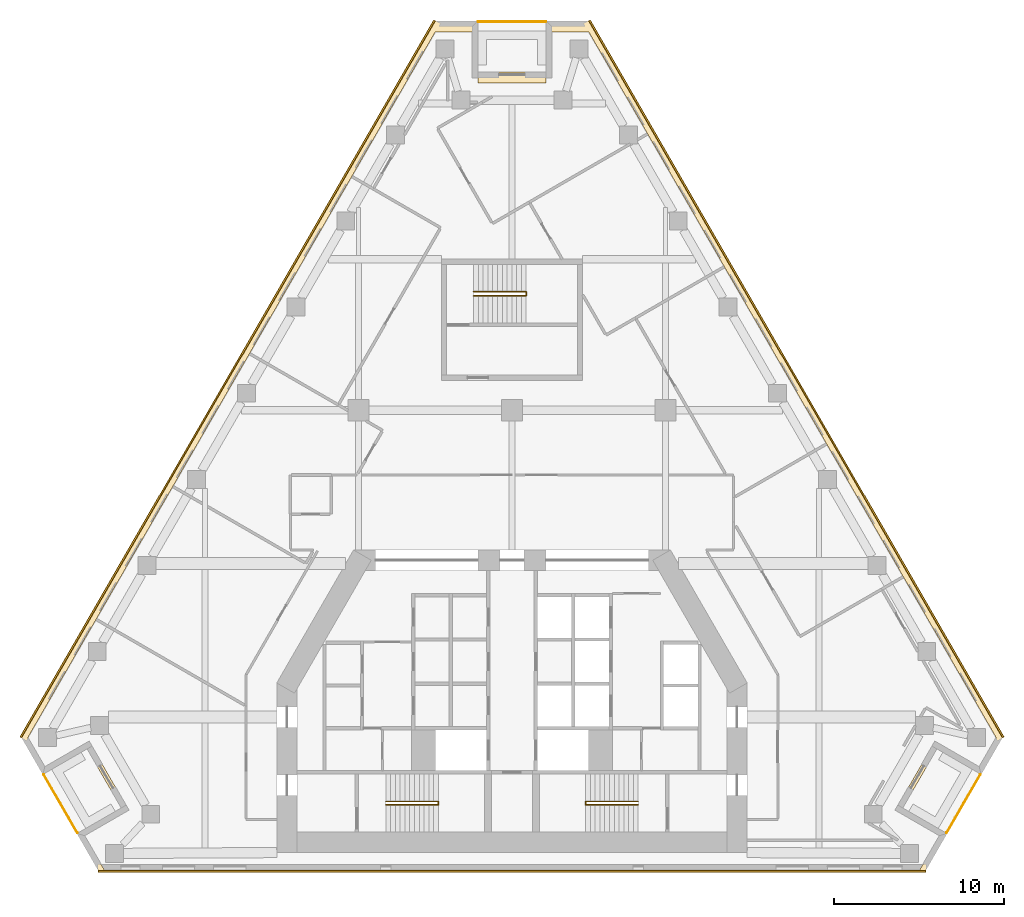
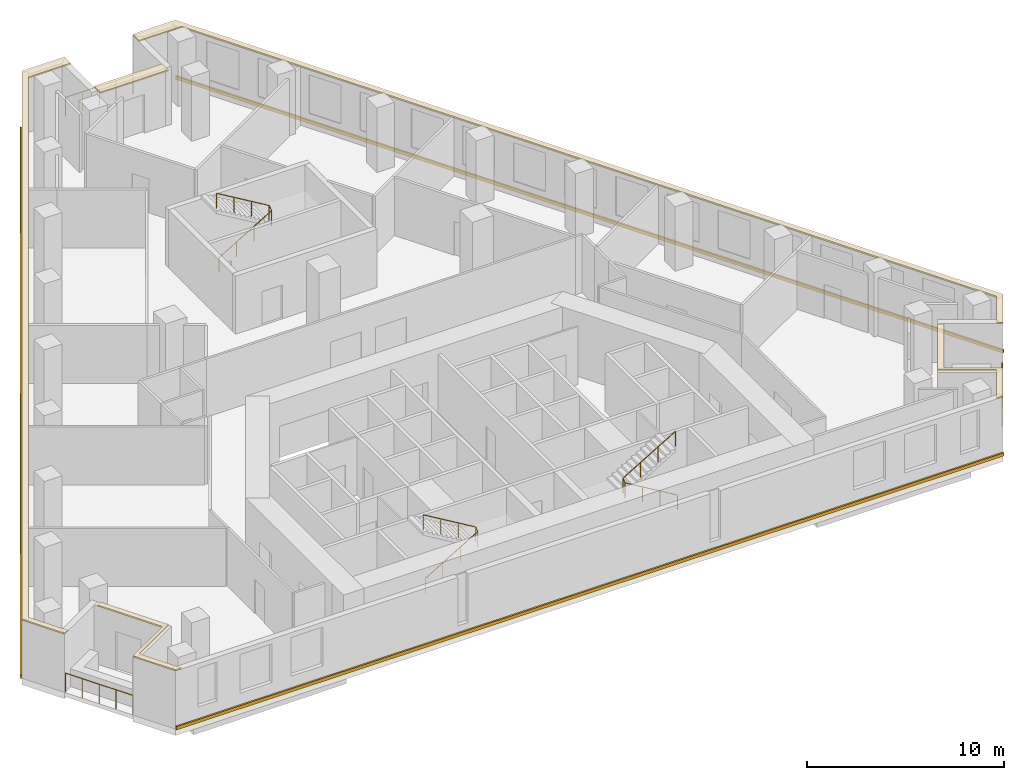
# One storey, part 8 of 8: 8 coverings, 6 railings.
"""IFC4 building model written with IfcOpenShell, lengths in metres."""

from ifc_helpers import new_model, si_unit, direction, frame, origin, origin_2d, place, context, subcontext, project, spatial, polyline, circle, outline, extrude, material, layer, layer_set, type_object, element, save


model = new_model("IFC4")

# Units and contexts
model_context = context("Model", 3, precision=1e-05, world=origin(), true_north=direction((0.0, 1.0)))
body_context = subcontext(model_context, "Body", "Model", "MODEL_VIEW")
ifc_project = project(units=[si_unit("LENGTHUNIT", "METRE"), si_unit("AREAUNIT", "SQUARE_METRE"), si_unit("VOLUMEUNIT", "CUBIC_METRE"), si_unit("PLANEANGLEUNIT", "RADIAN"), si_unit("MASSUNIT", "GRAM", prefix="KILO")], contexts=[model_context])

# Site, building, storey
site_placement = place(None, origin())
site = spatial("IfcSite", under=ifc_project, at=site_placement, CompositionType="ELEMENT")
building_placement = place(site_placement, origin())
building = spatial("IfcBuilding", under=site, at=building_placement, Name="Fogline Exchange Tower", CompositionType="ELEMENT")
storey_placement = place(building_placement, frame((0.0, 0.0, 162.89990234375)))
storey = spatial("IfcBuildingStorey", under=building, at=storey_placement, Name="L36", CompositionType="ELEMENT", Elevation=162.89990234375)

# Coverings
ifc_material_1 = material(Name="Granite", Category="masonry")
ifc_layer = layer(ifc_material_1, 0.080078125)
ifc_layer_set = layer_set([ifc_layer], Name="CP1")
covering_type_1 = type_object("IfcCoveringType", Name="CP1", PredefinedType="USERDEFINED", material=ifc_layer_set)
covering_1_placement = place(storey_placement, frame((0.0, 0.0, 3.60009765625)))
element("IfcCovering", 1, at=covering_1_placement, inside=storey, type_object=covering_type_1, Name="Ledge coping L36", ObjectType="COPING", PredefinedType="USERDEFINED", context=body_context, shape_type="SweptSolid", body=[
    extrude(outline(polyline([(-27.526123046875, 5.629150390625), (-27.246826171875, 5.790283203125), (-28.40380859375, 7.794189453125), (-4.5, 49.19677734375), (-2.0, 49.19677734375), (-2.0, 49.841796875), (-4.5, 49.841796875), (-28.776123046875, 7.794189453125), (-27.526123046875, 5.629150390625)])), origin(), (0.0, 0.0, 1.0), 0.080078125),
])
covering_2_placement = place(storey_placement, frame((0.0, 0.0, 3.60009765625)))
element("IfcCovering", 2, at=covering_2_placement, inside=storey, type_object=covering_type_1, Name="Ledge coping L36", ObjectType="COPING", PredefinedType="USERDEFINED", context=body_context, shape_type="SweptSolid", body=[
    extrude(outline(polyline([(-24.276123046875, 0.0), (-23.90380859375, 0.0), (-25.15380859375, 2.1650390625), (-22.5556640625, 3.6650390625), (-24.5556640625, 7.129150390625), (-24.8349609375, 6.968017578125), (-22.927978515625, 3.6650390625), (-25.526123046875, 2.1650390625), (-24.276123046875, 0.0)])), origin(), (0.0, 0.0, 1.0), 0.080078125),
])
covering_3_placement = place(storey_placement, frame((0.0, 0.0, 3.60009765625)))
element("IfcCovering", 3, at=covering_3_placement, inside=storey, type_object=covering_type_1, Name="Ledge coping L36", ObjectType="COPING", PredefinedType="USERDEFINED", context=body_context, shape_type="SweptSolid", body=[
    extrude(outline(polyline([(22.927978515625, 3.6650390625), (24.8349609375, 6.968017578125), (24.5556640625, 7.129150390625), (22.5556640625, 3.6650390625), (25.15380859375, 2.1650390625), (23.90380859375, 0.0), (24.276123046875, 0.0), (25.526123046875, 2.1650390625), (22.927978515625, 3.6650390625)])), origin(), (0.0, 0.0, 1.0), 0.080078125),
])
covering_4_placement = place(storey_placement, frame((0.0, 0.0, 3.60009765625)))
element("IfcCovering", 4, at=covering_4_placement, inside=storey, type_object=covering_type_1, Name="Ledge coping L36", ObjectType="COPING", PredefinedType="USERDEFINED", context=body_context, shape_type="SweptSolid", body=[
    extrude(outline(polyline([(2.0, 49.841796875), (2.0, 49.19677734375), (4.5, 49.19677734375), (28.40380859375, 7.794189453125), (27.246826171875, 5.790283203125), (27.526123046875, 5.629150390625), (28.776123046875, 7.794189453125), (4.5, 49.841796875), (2.0, 49.841796875)])), origin(), (0.0, 0.0, 1.0), 0.080078125),
])
covering_5_placement = place(storey_placement, frame((0.0, 0.0, 3.60009765625)))
element("IfcCovering", 5, at=covering_5_placement, inside=storey, type_object=covering_type_1, Name="Ledge coping L36", ObjectType="COPING", PredefinedType="USERDEFINED", context=body_context, shape_type="SweptSolid", body=[
    extrude(outline(polyline([(2.0, 46.841796875), (-2.0, 46.841796875), (-2.0, 46.19677734375), (2.0, 46.19677734375), (2.0, 46.841796875)])), origin(), (0.0, 0.0, 1.0), 0.080078125),
])

# Railings
ifc_material_2 = material(Name="Stainless steel 304", Category="steel")
railing_type_1 = type_object("IfcRailingType", Name="G1", PredefinedType="GUARDRAIL", material=ifc_material_2)
railing_1_placement = place(storey_placement, frame((-27.472412109375, 5.635986328125, 0.0)))
element("IfcRailing", 6, at=railing_1_placement, inside=storey, type_object=railing_type_1, Name="Balcony guard L36 SW", PredefinedType="GUARDRAIL", context=body_context, shape_type="SweptSolid", body=[
    extrude(circle(Radius=0.02392578125, at=origin_2d()), frame((0.0, 0.0, 1.17578125), z_axis=(0.500000102728, -0.866025344474, 0.0), x_axis=(0.866025344474, 0.500000102728, 0.0)), (0.0, 0.0, 1.0), 3.9580078125),
    extrude(circle(Radius=0.02099609375, at=origin_2d()), origin(), (0.0, 0.0, 1.0), 1.15185546875),
    extrude(circle(Radius=0.02099609375, at=origin_2d()), frame((0.49462890625, -0.85693359375, 0.0)), (0.0, 0.0, 1.0), 1.15185546875),
    extrude(circle(Radius=0.02099609375, at=origin_2d()), frame((0.989501953125, -1.7138671875, 0.0)), (0.0, 0.0, 1.0), 1.15185546875),
    extrude(circle(Radius=0.02099609375, at=origin_2d()), frame((1.484375, -2.57080078125, 0.0)), (0.0, 0.0, 1.0), 1.15185546875),
    extrude(circle(Radius=0.02099609375, at=origin_2d()), frame((1.97900390625, -3.427734375, 0.0)), (0.0, 0.0, 1.0), 1.15185546875),
])
railing_2_placement = place(storey_placement, frame((25.493408203125, 2.208251953125, 0.0)))
element("IfcRailing", 7, at=railing_2_placement, inside=storey, type_object=railing_type_1, Name="Balcony guard L36 SE", PredefinedType="GUARDRAIL", context=body_context, shape_type="SweptSolid", body=[
    extrude(circle(Radius=0.02392578125, at=origin_2d()), frame((0.0, 0.0, 1.17578125), z_axis=(0.500000102728, 0.866025344474, 0.0), x_axis=(-0.866025344474, 0.500000102728, 0.0)), (0.0, 0.0, 1.0), 3.9580078125),
    extrude(circle(Radius=0.02099609375, at=origin_2d()), origin(), (0.0, 0.0, 1.0), 1.15185546875),
    extrude(circle(Radius=0.02099609375, at=origin_2d()), frame((0.49462890625, 0.85693359375, 0.0)), (0.0, 0.0, 1.0), 1.15185546875),
    extrude(circle(Radius=0.02099609375, at=origin_2d()), frame((0.989501953125, 1.7138671875, 0.0)), (0.0, 0.0, 1.0), 1.15185546875),
    extrude(circle(Radius=0.02099609375, at=origin_2d()), frame((1.484375, 2.57080078125, 0.0)), (0.0, 0.0, 1.0), 1.15185546875),
    extrude(circle(Radius=0.02099609375, at=origin_2d()), frame((1.97900390625, 3.427734375, 0.0)), (0.0, 0.0, 1.0), 1.15185546875),
])
railing_3_placement = place(storey_placement, frame((1.97900390625, 49.791748046875, 0.0)))
element("IfcRailing", 8, at=railing_3_placement, inside=storey, type_object=railing_type_1, Name="Balcony guard L36 N", PredefinedType="GUARDRAIL", context=body_context, shape_type="SweptSolid", body=[
    extrude(circle(Radius=0.02392578125, at=origin_2d()), frame((0.0, 0.0, 1.17578125), z_axis=(-1.0, 0.0, 0.0), x_axis=(0.0, -1.0, 0.0)), (0.0, 0.0, 1.0), 3.9580078125),
    extrude(circle(Radius=0.02099609375, at=origin_2d()), origin(), (0.0, 0.0, 1.0), 1.15185546875),
    extrude(circle(Radius=0.02099609375, at=origin_2d()), frame((-0.989501953125, 0.0, 0.0)), (0.0, 0.0, 1.0), 1.15185546875),
    extrude(circle(Radius=0.02099609375, at=origin_2d()), frame((-1.97900390625, 0.0, 0.0)), (0.0, 0.0, 1.0), 1.15185546875),
    extrude(circle(Radius=0.02099609375, at=origin_2d()), frame((-2.968505859375, 0.0, 0.0)), (0.0, 0.0, 1.0), 1.15185546875),
    extrude(circle(Radius=0.02099609375, at=origin_2d()), frame((-3.9580078125, 0.0, 0.0)), (0.0, 0.0, 1.0), 1.15185546875),
])
ifc_material_3 = material(Name="Steel Q235B", Category="steel")
railing_type_2 = type_object("IfcRailingType", Name="RL-HR", PredefinedType="HANDRAIL", material=ifc_material_3)
railing_4_placement = place(storey_placement, frame((-7.39990234375, 3.85009765625, 0.166748046875)))
element("IfcRailing", 9, at=railing_4_placement, inside=storey, type_object=railing_type_2, Name="Handrail ST1", PredefinedType="HANDRAIL", context=body_context, shape_type="SweptSolid", body=[
    extrude(circle(Radius=0.02392578125, at=origin_2d()), frame((0.0, 0.0, 0.92578125), z_axis=(0.859290745958, 0.0, 0.51148745235), x_axis=(0.0, 1.0, 0.0)), (0.0, 0.0, 1.0), 3.584228515625),
    extrude(circle(Radius=0.02392578125, at=origin_2d()), frame((3.079833984375, 0.0, 2.75927734375), z_axis=(0.0, 0.767990643491, 0.640461061666), x_axis=(-1.0, 0.0, 0.0)), (0.0, 0.0, 1.0), 0.26025390625),
    extrude(circle(Radius=0.02392578125, at=origin_2d()), frame((3.079833984375, 0.199951171875, 2.92578125), z_axis=(-0.859290745958, 0.0, 0.51148745235), x_axis=(0.0, -1.0, 0.0)), (0.0, 0.0, 1.0), 3.584228515625),
    extrude(circle(Radius=0.02099609375, at=origin_2d()), origin(), (0.0, 0.0, 1.0), 0.90185546875),
    extrude(circle(Radius=0.02099609375, at=origin_2d()), frame((1.026611328125, 0.0, 0.611083984375)), (0.0, 0.0, 1.0), 0.90185546875),
    extrude(circle(Radius=0.02099609375, at=origin_2d()), frame((2.05322265625, 0.0, 1.22216796875)), (0.0, 0.0, 1.0), 0.90185546875),
    extrude(circle(Radius=0.02099609375, at=origin_2d()), frame((3.079833984375, 0.0, 1.833251953125)), (0.0, 0.0, 1.0), 0.90185546875),
    extrude(circle(Radius=0.02099609375, at=origin_2d()), frame((3.079833984375, 0.199951171875, 2.0)), (0.0, 0.0, 1.0), 0.90185546875),
    extrude(circle(Radius=0.02099609375, at=origin_2d()), frame((2.05322265625, 0.199951171875, 2.611083984375)), (0.0, 0.0, 1.0), 0.90185546875),
    extrude(circle(Radius=0.02099609375, at=origin_2d()), frame((1.026611328125, 0.199951171875, 3.22216796875)), (0.0, 0.0, 1.0), 0.90185546875),
    extrude(circle(Radius=0.02099609375, at=origin_2d()), frame((0.0, 0.199951171875, 3.833251953125)), (0.0, 0.0, 1.0), 0.90185546875),
])
railing_5_placement = place(storey_placement, frame((7.39990234375, 3.85009765625, 0.166748046875)))
element("IfcRailing", 10, at=railing_5_placement, inside=storey, type_object=railing_type_2, Name="Handrail ST2", PredefinedType="HANDRAIL", context=body_context, shape_type="SweptSolid", body=[
    extrude(circle(Radius=0.02392578125, at=origin_2d()), frame((0.0, 0.0, 0.92578125), z_axis=(-0.859290745958, 0.0, 0.51148745235), x_axis=(0.0, -1.0, 0.0)), (0.0, 0.0, 1.0), 3.584228515625),
    extrude(circle(Radius=0.02392578125, at=origin_2d()), frame((-3.079833984375, 0.0, 2.75927734375), z_axis=(0.0, 0.767990643491, 0.640461061666), x_axis=(-1.0, 0.0, 0.0)), (0.0, 0.0, 1.0), 0.26025390625),
    extrude(circle(Radius=0.02392578125, at=origin_2d()), frame((-3.079833984375, 0.199951171875, 2.92578125), z_axis=(0.859290745958, 0.0, 0.51148745235), x_axis=(0.0, 1.0, 0.0)), (0.0, 0.0, 1.0), 3.584228515625),
    extrude(circle(Radius=0.02099609375, at=origin_2d()), origin(), (0.0, 0.0, 1.0), 0.90185546875),
    extrude(circle(Radius=0.02099609375, at=origin_2d()), frame((-1.026611328125, 0.0, 0.611083984375)), (0.0, 0.0, 1.0), 0.90185546875),
    extrude(circle(Radius=0.02099609375, at=origin_2d()), frame((-2.05322265625, 0.0, 1.22216796875)), (0.0, 0.0, 1.0), 0.90185546875),
    extrude(circle(Radius=0.02099609375, at=origin_2d()), frame((-3.079833984375, 0.0, 1.833251953125)), (0.0, 0.0, 1.0), 0.90185546875),
    extrude(circle(Radius=0.02099609375, at=origin_2d()), frame((-3.079833984375, 0.199951171875, 2.0)), (0.0, 0.0, 1.0), 0.90185546875),
    extrude(circle(Radius=0.02099609375, at=origin_2d()), frame((-2.05322265625, 0.199951171875, 2.611083984375)), (0.0, 0.0, 1.0), 0.90185546875),
    extrude(circle(Radius=0.02099609375, at=origin_2d()), frame((-1.026611328125, 0.199951171875, 3.22216796875)), (0.0, 0.0, 1.0), 0.90185546875),
    extrude(circle(Radius=0.02099609375, at=origin_2d()), frame((0.0, 0.199951171875, 3.833251953125)), (0.0, 0.0, 1.0), 0.90185546875),
])
railing_6_placement = place(storey_placement, frame((-2.25, 33.70703125, 0.166748046875)))
element("IfcRailing", 11, at=railing_6_placement, inside=storey, type_object=railing_type_2, Name="Handrail ST3", PredefinedType="HANDRAIL", context=body_context, shape_type="SweptSolid", body=[
    extrude(circle(Radius=0.02392578125, at=origin_2d()), frame((0.0, 0.0, 0.92578125), z_axis=(0.859308565015, 0.0, 0.511457515432), x_axis=(0.0, 1.0, 0.0)), (0.0, 0.0, 1.0), 3.58447265625),
    extrude(circle(Radius=0.02392578125, at=origin_2d()), frame((3.080078125, 0.0, 2.75927734375), z_axis=(0.0, 0.831925284441, 0.554887665306), x_axis=(-1.0, 0.0, 0.0)), (0.0, 0.0, 1.0), 0.300537109375),
    extrude(circle(Radius=0.02392578125, at=origin_2d()), frame((3.080078125, 0.25, 2.92578125), z_axis=(-0.859308565015, 0.0, 0.511457515432), x_axis=(0.0, -1.0, 0.0)), (0.0, 0.0, 1.0), 3.58447265625),
    extrude(circle(Radius=0.02099609375, at=origin_2d()), origin(), (0.0, 0.0, 1.0), 0.90185546875),
    extrude(circle(Radius=0.02099609375, at=origin_2d()), frame((1.026611328125, 0.0, 0.611083984375)), (0.0, 0.0, 1.0), 0.90185546875),
    extrude(circle(Radius=0.02099609375, at=origin_2d()), frame((2.053466796875, 0.0, 1.22216796875)), (0.0, 0.0, 1.0), 0.90185546875),
    extrude(circle(Radius=0.02099609375, at=origin_2d()), frame((3.080078125, 0.0, 1.833251953125)), (0.0, 0.0, 1.0), 0.90185546875),
    extrude(circle(Radius=0.02099609375, at=origin_2d()), frame((3.080078125, 0.25, 2.0)), (0.0, 0.0, 1.0), 0.90185546875),
    extrude(circle(Radius=0.02099609375, at=origin_2d()), frame((2.053466796875, 0.25, 2.611083984375)), (0.0, 0.0, 1.0), 0.90185546875),
    extrude(circle(Radius=0.02099609375, at=origin_2d()), frame((1.026611328125, 0.25, 3.22216796875)), (0.0, 0.0, 1.0), 0.90185546875),
    extrude(circle(Radius=0.02099609375, at=origin_2d()), frame((0.0, 0.25, 3.833251953125)), (0.0, 0.0, 1.0), 0.90185546875),
])

# Coverings
ifc_material_4 = material(Name="Brick masonry", Category="masonry")
covering_type_2 = type_object("IfcCoveringType", Name="SB1", PredefinedType="CLADDING", material=ifc_material_4)
covering_6_placement = place(storey_placement, origin())
element("IfcCovering", 12, at=covering_6_placement, inside=storey, type_object=covering_type_2, Name="Stringcourse band L36 S", PredefinedType="CLADDING", context=body_context, shape_type="SweptSolid", body=[
    extrude(outline(polyline([(-24.276123046875, 0.0), (-24.276123046875, -0.10009765625), (24.276123046875, -0.10009765625), (24.276123046875, 0.0), (-24.276123046875, 0.0)])), origin(), (0.0, 0.0, 1.0), 0.2001953125),
])
covering_7_placement = place(storey_placement, origin())
element("IfcCovering", 13, at=covering_7_placement, inside=storey, type_object=covering_type_2, Name="Stringcourse band L36 E", PredefinedType="CLADDING", context=body_context, shape_type="SweptSolid", body=[
    extrude(outline(polyline([(28.776123046875, 7.794189453125), (28.86279296875, 7.84423828125), (4.586669921875, 49.8916015625), (4.5, 49.841796875), (28.776123046875, 7.794189453125)])), origin(), (0.0, 0.0, 1.0), 0.2001953125),
])
covering_8_placement = place(storey_placement, origin())
element("IfcCovering", 14, at=covering_8_placement, inside=storey, type_object=covering_type_2, Name="Stringcourse band L36 W", PredefinedType="CLADDING", context=body_context, shape_type="SweptSolid", body=[
    extrude(outline(polyline([(-4.5, 49.841796875), (-4.586669921875, 49.8916015625), (-28.86279296875, 7.84423828125), (-28.776123046875, 7.794189453125), (-4.5, 49.841796875)])), origin(), (0.0, 0.0, 1.0), 0.2001953125),
])

save(model, "model.ifc")
